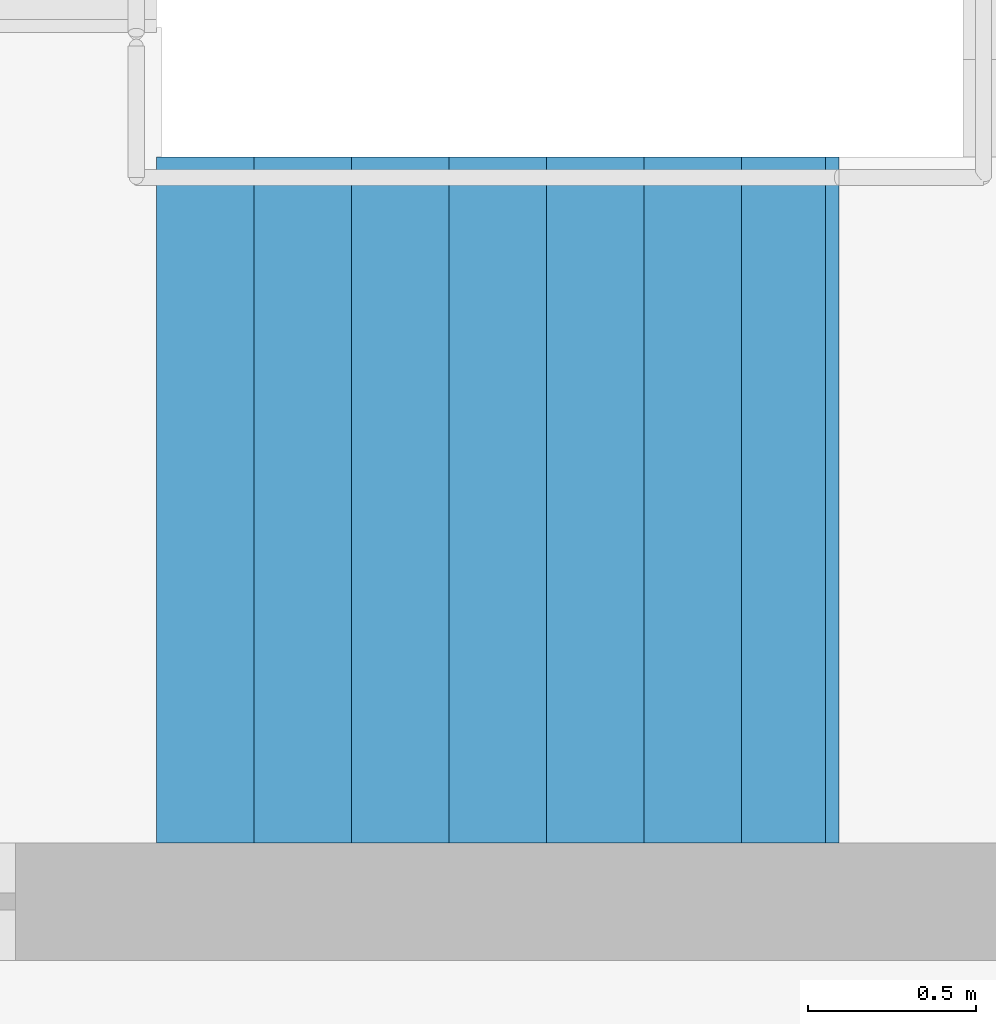
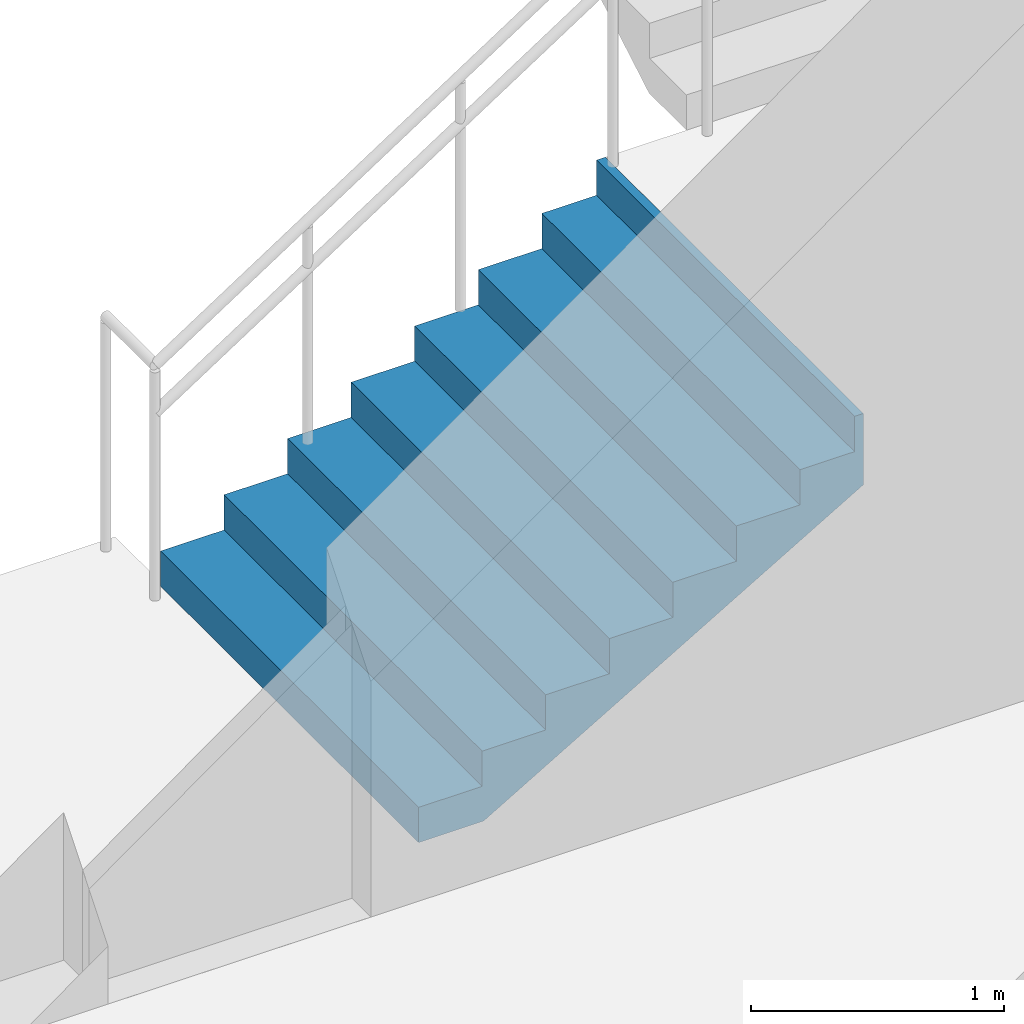
# One storey, part 62 of 72: 1 stair flight, 1 element without a shape of its own.
"""IFC4 building model written with IfcOpenShell, lengths in metres."""

import ifcopenshell
import ifcopenshell.guid

model = None  # the IFC model being written
_history = None  # IfcOwnerHistory: only IFC2X3 demands one
_inside = {}  # id of a spatial element -> (the spatial element, [elements in it])
_under = {}  # id of a project, library or spatial element -> (it, [spatial elements below it])
_declared = {}  # id of a project -> (the project, [libraries it declares])
_typed = {}  # id of a type object -> (the type object, [elements of that type])
_made_of = {}  # id of a material, layer set ... -> (it, [elements and type objects made of it])


def new_model(schema):
    """Start an empty IFC model of exactly this schema.

    Asked for "IFC4X3", IfcOpenShell would pick the latest addendum, in which some entities
    have other attributes; the version numbers below select the first issue.
    IFC2X3 requires an IfcOwnerHistory on every rooted entity: one is made here for all.
    """
    global model, _history
    if schema == "IFC4X3":
        model = ifcopenshell.file(schema_version=(4, 3, 0, 0))
    else:
        model = ifcopenshell.file(schema=schema)
    _inside.clear()
    _under.clear()
    _declared.clear()
    _typed.clear()
    _made_of.clear()
    _history = None
    if model.schema == "IFC2X3":
        org = make("IfcOrganization", Name="unknown")
        user = make(
            "IfcPersonAndOrganization",
            ThePerson=make("IfcPerson", FamilyName="unknown"),
            TheOrganization=org,
        )
        app = make(
            "IfcApplication",
            ApplicationDeveloper=org,
            Version="unknown",
            ApplicationFullName="unknown",
            ApplicationIdentifier="unknown",
        )
        _history = make(
            "IfcOwnerHistory",
            OwningUser=user,
            OwningApplication=app,
            ChangeAction="ADDED",
            CreationDate=0,
        )
    return model


def make(cls, **values):
    """One entity of the class cls with the attributes given. An attribute that is None is left unset."""
    return model.create_entity(
        cls, **{name: value for name, value in values.items() if value is not None}
    )


def rooted(cls, **values):
    """An entity with a GlobalId (a new one), such as an element, a storey or a relation."""
    return make(cls, GlobalId=ifcopenshell.guid.new(), OwnerHistory=_history, **values)


def si_unit(unit_type, name, prefix=None):
    """IfcSIUnit, for example si_unit("LENGTHUNIT", "METRE", prefix="MILLI")."""
    return make("IfcSIUnit", UnitType=unit_type, Prefix=prefix, Name=name)


def assignment(units):
    """IfcUnitAssignment: the units of a project."""
    return None if units is None else make("IfcUnitAssignment", Units=units)


def point(xyz):
    """IfcCartesianPoint."""
    return None if xyz is None else make("IfcCartesianPoint", Coordinates=xyz)


def direction(xyz):
    """IfcDirection."""
    return None if xyz is None else make("IfcDirection", DirectionRatios=xyz)


def frame(location, z_axis=None, x_axis=None):
    """IfcAxis2Placement3D, a coordinate frame: its origin and axes. An axis left out is left unset."""
    return make(
        "IfcAxis2Placement3D",
        Location=point(location),
        Axis=direction(z_axis),
        RefDirection=direction(x_axis),
    )


def origin():
    """The frame at (0, 0, 0) with its axes left unset."""
    return frame((0.0, 0.0, 0.0))


def place(relative_to, where):
    """IfcLocalPlacement: puts the frame where relative to a parent placement (None: the world)."""
    return make(
        "IfcLocalPlacement", PlacementRelTo=relative_to, RelativePlacement=where
    )


def context(
    kind, dimensions, precision=None, world=None, true_north=None, identifier=None
):
    """IfcGeometricRepresentationContext, for example the 3D "Model" context."""
    return make(
        "IfcGeometricRepresentationContext",
        ContextIdentifier=identifier,
        ContextType=kind,
        CoordinateSpaceDimension=dimensions,
        Precision=precision,
        WorldCoordinateSystem=world,
        TrueNorth=true_north,
    )


def subcontext(parent, identifier, kind, view, scale=None):
    """IfcGeometricRepresentationSubContext, for example "Body" below "Model"."""
    return make(
        "IfcGeometricRepresentationSubContext",
        ContextIdentifier=identifier,
        ContextType=kind,
        ParentContext=parent,
        TargetScale=scale,
        TargetView=view,
    )


def project(units=None, contexts=None):
    """IfcProject with its units and contexts."""
    return rooted(
        "IfcProject",
        Name="project",
        RepresentationContexts=contexts,
        UnitsInContext=assignment(units),
    )


def spatial(cls, under=None, at=None, **own):
    """A site, building, storey or space (cls), placed at a placement, below another one or the project."""
    s = rooted(cls, ObjectPlacement=at, **own)
    if under is not None:
        _under.setdefault(under.id(), (under, []))[1].append(s)
    return s


def point_list(points):
    """IfcCartesianPointList2D or 3D."""
    cls = (
        "IfcCartesianPointList2D" if len(points[0]) == 2 else "IfcCartesianPointList3D"
    )
    return make(cls, CoordList=points)


def triangles(points, corners, closed=None, point_numbers=None):
    """IfcTriangulatedFaceSet: each triangle names its three corners, points numbered from 1."""
    return make(
        "IfcTriangulatedFaceSet",
        Coordinates=point_list(points),
        Closed=closed,
        CoordIndex=corners,
        PnIndex=point_numbers,
    )


def shape(context_of_items, identifier, shape_type, items):
    """IfcShapeRepresentation: the items that make up one representation, for example the "Body"."""
    return make(
        "IfcShapeRepresentation",
        ContextOfItems=context_of_items,
        RepresentationIdentifier=identifier,
        RepresentationType=shape_type,
        Items=items,
    )


def material(Name=None, Category=None):
    """IfcMaterial."""
    return make("IfcMaterial", Name=Name, Category=Category)


def made_of(thing, what):
    """Note that an element or type object is made of a material, layer set ...; save() writes the relation."""
    if what is not None:
        _made_of.setdefault(what.id(), (what, []))[1].append(thing)
    return thing


def type_object(cls, material=None, **own):
    """A type object (cls), such as IfcWallType, which elements share."""
    return made_of(rooted(cls, **own), material)


def element(
    cls,
    number,
    at=None,
    inside=None,
    cuts=None,
    type_object=None,
    material=None,
    context=None,
    identifier="Body",
    shape_type=None,
    held_by="IfcProductDefinitionShape",
    body=None,
    shapes=None,
    **own,
):
    """One element of the class cls, such as IfcWall. Its Tag is "e" and its number.

    at: its placement. inside: the storey or other place that contains it. cuts: it is an
    opening in that element (IfcRelVoidsElement). A single representation is given by context,
    identifier, shape_type and body (its items); several are given by shapes. held_by: the class
    of the entity that holds the representations. save() writes the other relations.
    """
    e = rooted(cls, Tag="e%d" % number, ObjectPlacement=at, **own)
    if body is not None:
        shapes = [shape(context, identifier, shape_type, body)]
    if shapes is not None:
        e.Representation = make(held_by, Representations=shapes)
    if inside is not None:
        _inside.setdefault(inside.id(), (inside, []))[1].append(e)
    if cuts is not None:
        rooted(
            "IfcRelVoidsElement", RelatingBuildingElement=cuts, RelatedOpeningElement=e
        )
    if type_object is not None:
        _typed.setdefault(type_object.id(), (type_object, []))[1].append(e)
    return made_of(e, material)


def aggregate(whole, parts):
    """IfcRelAggregates: a whole, such as a stair, and the parts it consists of."""
    return rooted("IfcRelAggregates", RelatingObject=whole, RelatedObjects=parts)


def save(model, path):
    """Write the relations noted so far, then the file.

    IfcRelAggregates (storeys below a building ...), IfcRelContainedInSpatialStructure (elements
    in a storey), IfcRelDefinesByType, IfcRelAssociatesMaterial and IfcRelDeclares: one each for
    every whole, place, type object, material and project.
    """
    for whole, parts in _under.values():
        aggregate(whole, parts)
    for where, things in _inside.values():
        rooted(
            "IfcRelContainedInSpatialStructure",
            RelatedElements=things,
            RelatingStructure=where,
        )
    for kind, things in _typed.values():
        rooted("IfcRelDefinesByType", RelatedObjects=things, RelatingType=kind)
    for what, things in _made_of.values():
        rooted("IfcRelAssociatesMaterial", RelatedObjects=things, RelatingMaterial=what)
    for by, libraries in _declared.values():
        rooted("IfcRelDeclares", RelatingContext=by, RelatedDefinitions=libraries)
    model.write(path)


model = new_model("IFC4")

# Units and contexts
model_context = context("Model", 3, precision=1e-05, world=origin(), true_north=direction((0.0, 1.0)))
body_context = subcontext(model_context, "Body", "Model", "MODEL_VIEW")
ifc_project = project(units=[si_unit("LENGTHUNIT", "METRE"), si_unit("AREAUNIT", "SQUARE_METRE"), si_unit("VOLUMEUNIT", "CUBIC_METRE"), si_unit("PLANEANGLEUNIT", "RADIAN"), si_unit("MASSUNIT", "GRAM", prefix="KILO")], contexts=[model_context])

# Site, building, storey
site_placement = place(None, origin())
site = spatial("IfcSite", under=ifc_project, at=site_placement, CompositionType="ELEMENT")
building_placement = place(site_placement, origin())
building = spatial("IfcBuilding", under=site, at=building_placement, Name="Sillaruma Civic Art Gallery", CompositionType="ELEMENT")
storey_placement = place(building_placement, frame((0.0, 0.0, 10.8798828125)))
storey = spatial("IfcBuildingStorey", under=building, at=storey_placement, Name="L02", CompositionType="ELEMENT", Elevation=10.8798828125)

# Stair, stair flight
ifc_material = material(Name="Concrete H35 (35 MPa)", Category="concrete")
stair_type = type_object("IfcStairType", Name="STR-4F-32", PredefinedType="USERDEFINED", material=ifc_material)
stair_placement = place(storey_placement, origin())
stair = element("IfcStair", 1, at=stair_placement, inside=storey, type_object=stair_type, Name="Protected Exit Stair ST-02 (West Bar North) (L02)", ObjectType="THREE_RETURN_STAIR", PredefinedType="USERDEFINED")
stair_flight_type = type_object("IfcStairFlightType", Name="SFL-STR-8", PredefinedType="STRAIGHT", material=ifc_material)
stair_flight_placement = place(storey_placement, frame((64.800048828125, 81.929931640625, 0.0), z_axis=(0.0, 0.0, 1.0), x_axis=(1.0, 0.0, 0.0)))
stair_flight = element("IfcStairFlight", 2, at=stair_flight_placement, type_object=stair_flight_type, Name="ST-02 flight 1", NumberOfRisers=8, NumberOfTreads=7, PredefinedType="STRAIGHT", RiserHeight=0.17, TreadLength=0.29, context=body_context, shape_type="Tessellation", body=[
    triangles([(0.0, -1.02001953125, 0.0), (0.29, -1.02001953125, 0.0), (0.296443, -1.02001953125, 0.0), (0.58, -1.02001953125, 0.166223), (0.87, -1.02001953125, 0.336223), (1.16, -1.02001953125, 0.506223), (1.45, -1.02001953125, 0.676223), (1.74, -1.02001953125, 0.846223), (1.990029, -1.02001953125, 0.992792), (2.030029, -1.02001953125, 1.01624), (2.030029, -1.02001953125, 1.36), (1.990029, -1.02001953125, 1.36), (1.990029, -1.02001953125, 1.19), (1.74, -1.02001953125, 1.19), (1.74, -1.02001953125, 1.02), (1.45, -1.02001953125, 1.02), (1.45, -1.02001953125, 0.85), (1.16, -1.02001953125, 0.85), (1.16, -1.02001953125, 0.68), (0.87, -1.02001953125, 0.68), (0.87, -1.02001953125, 0.51), (0.58, -1.02001953125, 0.51), (0.58, -1.02001953125, 0.34), (0.296443, -1.02001953125, 0.34), (0.29, -1.02001953125, 0.34), (0.29, -1.02001953125, 0.17), (0.0, -1.02001953125, 0.17), (0.0, -0.05, 0.0), (0.29, -0.05, 0.0), (0.296443, -0.05, 0.0), (0.58, -0.05, 0.166223), (0.87, -0.05, 0.336223), (1.16, -0.05, 0.506223), (1.45, -0.05, 0.676223), (1.74, -0.05, 0.846223), (1.990029, -0.05, 0.992792), (2.030029, -0.05, 1.01624), (2.030029, -0.05, 1.36), (1.990029, -0.05, 1.36), (1.990029, -0.05, 1.19), (1.74, -0.05, 1.19), (1.74, -0.05, 1.02), (1.45, -0.05, 1.02), (1.45, -0.05, 0.85), (1.16, -0.05, 0.85), (1.16, -0.05, 0.68), (0.87, -0.05, 0.68), (0.87, -0.05, 0.51), (0.58, -0.05, 0.51), (0.58, -0.05, 0.34), (0.296443, -0.05, 0.34), (0.29, -0.05, 0.34), (0.29, -0.05, 0.17), (0.0, -0.05, 0.17), (0.0, -0.0375, 0.0), (0.29, -0.0375, 0.0), (0.296443, -0.0375, 0.0), (0.58, -0.0375, 0.166223), (0.87, -0.0375, 0.336223), (1.16, -0.0375, 0.506223), (1.45, -0.0375, 0.676223), (1.74, -0.0375, 0.846223), (1.990029, -0.0375, 0.992792), (2.030029, -0.0375, 1.01624), (2.030029, -0.0375, 1.36), (1.990029, -0.0375, 1.36), (1.990029, -0.0375, 1.19), (1.74, -0.0375, 1.19), (1.74, -0.0375, 1.02), (1.45, -0.0375, 1.02), (1.45, -0.0375, 0.85), (1.16, -0.0375, 0.85), (1.16, -0.0375, 0.68), (0.87, -0.0375, 0.68), (0.87, -0.0375, 0.51), (0.58, -0.0375, 0.51), (0.58, -0.0375, 0.34), (0.296443, -0.0375, 0.34), (0.29, -0.0375, 0.34), (0.29, -0.0375, 0.17), (0.0, -0.0375, 0.17), (0.0, -0.025, 0.0), (0.29, -0.025, 0.0), (0.296443, -0.025, 0.0), (0.58, -0.025, 0.166223), (0.87, -0.025, 0.336223), (1.16, -0.025, 0.506223), (1.45, -0.025, 0.676223), (1.74, -0.025, 0.846223), (1.990029, -0.025, 0.992792), (2.030029, -0.025, 1.01624), (2.030029, -0.025, 1.36), (1.990029, -0.025, 1.36), (1.990029, -0.025, 1.19), (1.74, -0.025, 1.19), (1.74, -0.025, 1.02), (1.45, -0.025, 1.02), (1.45, -0.025, 0.85), (1.16, -0.025, 0.85), (1.16, -0.025, 0.68), (0.87, -0.025, 0.68), (0.87, -0.025, 0.51), (0.58, -0.025, 0.51), (0.58, -0.025, 0.34), (0.296443, -0.025, 0.34), (0.29, -0.025, 0.34), (0.29, -0.025, 0.17), (0.0, -0.025, 0.17), (0.0, -0.0125, 0.0), (0.29, -0.0125, 0.0), (0.296443, -0.0125, 0.0), (0.58, -0.0125, 0.166223), (0.87, -0.0125, 0.336223), (1.16, -0.0125, 0.506223), (1.45, -0.0125, 0.676223), (1.74, -0.0125, 0.846223), (1.990029, -0.0125, 0.992792), (2.030029, -0.0125, 1.01624), (2.030029, -0.0125, 1.36), (1.990029, -0.0125, 1.36), (1.990029, -0.0125, 1.19), (1.74, -0.0125, 1.19), (1.74, -0.0125, 1.02), (1.45, -0.0125, 1.02), (1.45, -0.0125, 0.85), (1.16, -0.0125, 0.85), (1.16, -0.0125, 0.68), (0.87, -0.0125, 0.68), (0.87, -0.0125, 0.51), (0.58, -0.0125, 0.51), (0.58, -0.0125, 0.34), (0.296443, -0.0125, 0.34), (0.29, -0.0125, 0.34), (0.29, -0.0125, 0.17), (0.0, -0.0125, 0.17), (0.0, 0.0, 0.0), (0.29, 0.0, 0.0), (0.296443, 0.0, 0.0), (0.58, 0.0, 0.166223), (0.87, 0.0, 0.336223), (1.16, 0.0, 0.506223), (1.45, 0.0, 0.676223), (1.74, 0.0, 0.846223), (1.990029, 0.0, 0.992792), (2.030029, 0.0, 1.01624), (2.030029, 0.0, 1.36), (1.990029, 0.0, 1.36), (1.990029, 0.0, 1.19), (1.74, 0.0, 1.19), (1.74, 0.0, 1.02), (1.45, 0.0, 1.02), (1.45, 0.0, 0.85), (1.16, 0.0, 0.85), (1.16, 0.0, 0.68), (0.87, 0.0, 0.68), (0.87, 0.0, 0.51), (0.58, 0.0, 0.51), (0.58, 0.0, 0.34), (0.296443, 0.0, 0.34), (0.29, 0.0, 0.34), (0.29, 0.0, 0.17), (0.0, 0.0, 0.17), (0.0, 0.0125, 0.0), (0.29, 0.0125, 0.0), (0.296443, 0.0125, 0.0), (0.58, 0.0125, 0.166223), (0.87, 0.0125, 0.336223), (1.16, 0.0125, 0.506223), (1.45, 0.0125, 0.676223), (1.74, 0.0125, 0.846223), (1.990029, 0.0125, 0.992792), (2.030029, 0.0125, 1.01624), (2.030029, 0.0125, 1.36), (1.990029, 0.0125, 1.36), (1.990029, 0.0125, 1.19), (1.74, 0.0125, 1.19), (1.74, 0.0125, 1.02), (1.45, 0.0125, 1.02), (1.45, 0.0125, 0.85), (1.16, 0.0125, 0.85), (1.16, 0.0125, 0.68), (0.87, 0.0125, 0.68), (0.87, 0.0125, 0.51), (0.58, 0.0125, 0.51), (0.58, 0.0125, 0.34), (0.296443, 0.0125, 0.34), (0.29, 0.0125, 0.34), (0.29, 0.0125, 0.17), (0.0, 0.0125, 0.17), (0.0, 0.025, 0.0), (0.29, 0.025, 0.0), (0.296443, 0.025, 0.0), (0.58, 0.025, 0.166223), (0.87, 0.025, 0.336223), (1.16, 0.025, 0.506223), (1.45, 0.025, 0.676223), (1.74, 0.025, 0.846223), (1.990029, 0.025, 0.992792), (2.030029, 0.025, 1.01624), (2.030029, 0.025, 1.36), (1.990029, 0.025, 1.36), (1.990029, 0.025, 1.19), (1.74, 0.025, 1.19), (1.74, 0.025, 1.02), (1.45, 0.025, 1.02), (1.45, 0.025, 0.85), (1.16, 0.025, 0.85), (1.16, 0.025, 0.68), (0.87, 0.025, 0.68), (0.87, 0.025, 0.51), (0.58, 0.025, 0.51), (0.58, 0.025, 0.34), (0.296443, 0.025, 0.34), (0.29, 0.025, 0.34), (0.29, 0.025, 0.17), (0.0, 0.025, 0.17), (0.0, 0.0375, 0.0), (0.29, 0.0375, 0.0), (0.296443, 0.0375, 0.0), (0.58, 0.0375, 0.166223), (0.87, 0.0375, 0.336223), (1.16, 0.0375, 0.506223), (1.45, 0.0375, 0.676223), (1.74, 0.0375, 0.846223), (1.990029, 0.0375, 0.992792), (2.030029, 0.0375, 1.01624), (2.030029, 0.0375, 1.36), (1.990029, 0.0375, 1.36), (1.990029, 0.0375, 1.19), (1.74, 0.0375, 1.19), (1.74, 0.0375, 1.02), (1.45, 0.0375, 1.02), (1.45, 0.0375, 0.85), (1.16, 0.0375, 0.85), (1.16, 0.0375, 0.68), (0.87, 0.0375, 0.68), (0.87, 0.0375, 0.51), (0.58, 0.0375, 0.51), (0.58, 0.0375, 0.34), (0.296443, 0.0375, 0.34), (0.29, 0.0375, 0.34), (0.29, 0.0375, 0.17), (0.0, 0.0375, 0.17), (0.0, 0.05, 0.0), (0.29, 0.05, 0.0), (0.296443, 0.05, 0.0), (0.58, 0.05, 0.166223), (0.87, 0.05, 0.336223), (1.16, 0.05, 0.506223), (1.45, 0.05, 0.676223), (1.74, 0.05, 0.846223), (1.990029, 0.05, 0.992792), (2.030029, 0.05, 1.01624), (2.030029, 0.05, 1.36), (1.990029, 0.05, 1.36), (1.990029, 0.05, 1.19), (1.74, 0.05, 1.19), (1.74, 0.05, 1.02), (1.45, 0.05, 1.02), (1.45, 0.05, 0.85), (1.16, 0.05, 0.85), (1.16, 0.05, 0.68), (0.87, 0.05, 0.68), (0.87, 0.05, 0.51), (0.58, 0.05, 0.51), (0.58, 0.05, 0.34), (0.296443, 0.05, 0.34), (0.29, 0.05, 0.34), (0.29, 0.05, 0.17), (0.0, 0.05, 0.17), (0.0, 1.02001953125, 0.0), (0.29, 1.02001953125, 0.0), (0.296443, 1.02001953125, 0.0), (0.58, 1.02001953125, 0.166223), (0.87, 1.02001953125, 0.336223), (1.16, 1.02001953125, 0.506223), (1.45, 1.02001953125, 0.676223), (1.74, 1.02001953125, 0.846223), (1.990029, 1.02001953125, 0.992792), (2.030029, 1.02001953125, 1.01624), (2.030029, 1.02001953125, 1.36), (1.990029, 1.02001953125, 1.36), (1.990029, 1.02001953125, 1.19), (1.74, 1.02001953125, 1.19), (1.74, 1.02001953125, 1.02), (1.45, 1.02001953125, 1.02), (1.45, 1.02001953125, 0.85), (1.16, 1.02001953125, 0.85), (1.16, 1.02001953125, 0.68), (0.87, 1.02001953125, 0.68), (0.87, 1.02001953125, 0.51), (0.58, 1.02001953125, 0.51), (0.58, 1.02001953125, 0.34), (0.296443, 1.02001953125, 0.34), (0.29, 1.02001953125, 0.34), (0.29, 1.02001953125, 0.17), (0.0, 1.02001953125, 0.17)], [[1, 2, 26], [1, 26, 27], [2, 3, 24], [2, 24, 26], [26, 24, 25], [3, 4, 23], [3, 23, 24], [4, 5, 21], [4, 21, 23], [23, 21, 22], [5, 6, 19], [5, 19, 21], [21, 19, 20], [6, 7, 17], [6, 17, 19], [19, 17, 18], [7, 8, 15], [7, 15, 17], [17, 15, 16], [8, 9, 13], [8, 13, 15], [15, 13, 14], [9, 10, 11], [9, 11, 13], [13, 11, 12], [296, 272, 271], [297, 296, 271], [294, 273, 272], [296, 294, 272], [295, 294, 296], [293, 274, 273], [294, 293, 273], [291, 275, 274], [293, 291, 274], [292, 291, 293], [289, 276, 275], [291, 289, 275], [290, 289, 291], [287, 277, 276], [289, 287, 276], [288, 287, 289], [285, 278, 277], [287, 285, 277], [286, 285, 287], [283, 279, 278], [285, 283, 278], [284, 283, 285], [281, 280, 279], [283, 281, 279], [282, 281, 283], [2, 1, 28], [2, 28, 29], [3, 2, 29], [3, 29, 30], [4, 3, 30], [4, 30, 31], [5, 4, 31], [5, 31, 32], [6, 5, 32], [6, 32, 33], [7, 6, 33], [7, 33, 34], [8, 7, 34], [8, 34, 35], [9, 8, 35], [9, 35, 36], [10, 9, 36], [10, 36, 37], [11, 10, 37], [11, 37, 38], [12, 11, 38], [12, 38, 39], [13, 12, 39], [13, 39, 40], [14, 13, 40], [14, 40, 41], [15, 14, 41], [15, 41, 42], [16, 15, 42], [16, 42, 43], [17, 16, 43], [17, 43, 44], [18, 17, 44], [18, 44, 45], [19, 18, 45], [19, 45, 46], [20, 19, 46], [20, 46, 47], [21, 20, 47], [21, 47, 48], [22, 21, 48], [22, 48, 49], [23, 22, 49], [23, 49, 50], [24, 23, 50], [24, 50, 51], [25, 24, 51], [25, 51, 52], [26, 25, 52], [26, 52, 53], [27, 26, 53], [27, 53, 54], [1, 27, 54], [1, 54, 28], [29, 28, 55], [29, 55, 56], [30, 29, 56], [30, 56, 57], [31, 30, 57], [31, 57, 58], [32, 31, 58], [32, 58, 59], [33, 32, 59], [33, 59, 60], [34, 33, 60], [34, 60, 61], [35, 34, 61], [35, 61, 62], [36, 35, 62], [36, 62, 63], [37, 36, 63], [37, 63, 64], [38, 37, 64], [38, 64, 65], [39, 38, 65], [39, 65, 66], [40, 39, 66], [40, 66, 67], [41, 40, 67], [41, 67, 68], [42, 41, 68], [42, 68, 69], [43, 42, 69], [43, 69, 70], [44, 43, 70], [44, 70, 71], [45, 44, 71], [45, 71, 72], [46, 45, 72], [46, 72, 73], [47, 46, 73], [47, 73, 74], [48, 47, 74], [48, 74, 75], [49, 48, 75], [49, 75, 76], [50, 49, 76], [50, 76, 77], [51, 50, 77], [51, 77, 78], [52, 51, 78], [52, 78, 79], [53, 52, 79], [53, 79, 80], [54, 53, 80], [54, 80, 81], [28, 54, 81], [28, 81, 55], [56, 55, 82], [56, 82, 83], [57, 56, 83], [57, 83, 84], [58, 57, 84], [58, 84, 85], [59, 58, 85], [59, 85, 86], [60, 59, 86], [60, 86, 87], [61, 60, 87], [61, 87, 88], [62, 61, 88], [62, 88, 89], [63, 62, 89], [63, 89, 90], [64, 63, 90], [64, 90, 91], [65, 64, 91], [65, 91, 92], [66, 65, 92], [66, 92, 93], [67, 66, 93], [67, 93, 94], [68, 67, 94], [68, 94, 95], [69, 68, 95], [69, 95, 96], [70, 69, 96], [70, 96, 97], [71, 70, 97], [71, 97, 98], [72, 71, 98], [72, 98, 99], [73, 72, 99], [73, 99, 100], [74, 73, 100], [74, 100, 101], [75, 74, 101], [75, 101, 102], [76, 75, 102], [76, 102, 103], [77, 76, 103], [77, 103, 104], [78, 77, 104], [78, 104, 105], [79, 78, 105], [79, 105, 106], [80, 79, 106], [80, 106, 107], [81, 80, 107], [81, 107, 108], [55, 81, 108], [55, 108, 82], [83, 82, 109], [83, 109, 110], [84, 83, 110], [84, 110, 111], [85, 84, 111], [85, 111, 112], [86, 85, 112], [86, 112, 113], [87, 86, 113], [87, 113, 114], [88, 87, 114], [88, 114, 115], [89, 88, 115], [89, 115, 116], [90, 89, 116], [90, 116, 117], [91, 90, 117], [91, 117, 118], [92, 91, 118], [92, 118, 119], [93, 92, 119], [93, 119, 120], [94, 93, 120], [94, 120, 121], [95, 94, 121], [95, 121, 122], [96, 95, 122], [96, 122, 123], [97, 96, 123], [97, 123, 124], [98, 97, 124], [98, 124, 125], [99, 98, 125], [99, 125, 126], [100, 99, 126], [100, 126, 127], [101, 100, 127], [101, 127, 128], [102, 101, 128], [102, 128, 129], [103, 102, 129], [103, 129, 130], [104, 103, 130], [104, 130, 131], [105, 104, 131], [105, 131, 132], [106, 105, 132], [106, 132, 133], [107, 106, 133], [107, 133, 134], [108, 107, 134], [108, 134, 135], [82, 108, 135], [82, 135, 109], [110, 109, 136], [110, 136, 137], [111, 110, 137], [111, 137, 138], [112, 111, 138], [112, 138, 139], [113, 112, 139], [113, 139, 140], [114, 113, 140], [114, 140, 141], [115, 114, 141], [115, 141, 142], [116, 115, 142], [116, 142, 143], [117, 116, 143], [117, 143, 144], [118, 117, 144], [118, 144, 145], [119, 118, 145], [119, 145, 146], [120, 119, 146], [120, 146, 147], [121, 120, 147], [121, 147, 148], [122, 121, 148], [122, 148, 149], [123, 122, 149], [123, 149, 150], [124, 123, 150], [124, 150, 151], [125, 124, 151], [125, 151, 152], [126, 125, 152], [126, 152, 153], [127, 126, 153], [127, 153, 154], [128, 127, 154], [128, 154, 155], [129, 128, 155], [129, 155, 156], [130, 129, 156], [130, 156, 157], [131, 130, 157], [131, 157, 158], [132, 131, 158], [132, 158, 159], [133, 132, 159], [133, 159, 160], [134, 133, 160], [134, 160, 161], [135, 134, 161], [135, 161, 162], [109, 135, 162], [109, 162, 136], [137, 136, 163], [137, 163, 164], [138, 137, 164], [138, 164, 165], [139, 138, 165], [139, 165, 166], [140, 139, 166], [140, 166, 167], [141, 140, 167], [141, 167, 168], [142, 141, 168], [142, 168, 169], [143, 142, 169], [143, 169, 170], [144, 143, 170], [144, 170, 171], [145, 144, 171], [145, 171, 172], [146, 145, 172], [146, 172, 173], [147, 146, 173], [147, 173, 174], [148, 147, 174], [148, 174, 175], [149, 148, 175], [149, 175, 176], [150, 149, 176], [150, 176, 177], [151, 150, 177], [151, 177, 178], [152, 151, 178], [152, 178, 179], [153, 152, 179], [153, 179, 180], [154, 153, 180], [154, 180, 181], [155, 154, 181], [155, 181, 182], [156, 155, 182], [156, 182, 183], [157, 156, 183], [157, 183, 184], [158, 157, 184], [158, 184, 185], [159, 158, 185], [159, 185, 186], [160, 159, 186], [160, 186, 187], [161, 160, 187], [161, 187, 188], [162, 161, 188], [162, 188, 189], [136, 162, 189], [136, 189, 163], [164, 163, 190], [164, 190, 191], [165, 164, 191], [165, 191, 192], [166, 165, 192], [166, 192, 193], [167, 166, 193], [167, 193, 194], [168, 167, 194], [168, 194, 195], [169, 168, 195], [169, 195, 196], [170, 169, 196], [170, 196, 197], [171, 170, 197], [171, 197, 198], [172, 171, 198], [172, 198, 199], [173, 172, 199], [173, 199, 200], [174, 173, 200], [174, 200, 201], [175, 174, 201], [175, 201, 202], [176, 175, 202], [176, 202, 203], [177, 176, 203], [177, 203, 204], [178, 177, 204], [178, 204, 205], [179, 178, 205], [179, 205, 206], [180, 179, 206], [180, 206, 207], [181, 180, 207], [181, 207, 208], [182, 181, 208], [182, 208, 209], [183, 182, 209], [183, 209, 210], [184, 183, 210], [184, 210, 211], [185, 184, 211], [185, 211, 212], [186, 185, 212], [186, 212, 213], [187, 186, 213], [187, 213, 214], [188, 187, 214], [188, 214, 215], [189, 188, 215], [189, 215, 216], [163, 189, 216], [163, 216, 190], [191, 190, 217], [191, 217, 218], [192, 191, 218], [192, 218, 219], [193, 192, 219], [193, 219, 220], [194, 193, 220], [194, 220, 221], [195, 194, 221], [195, 221, 222], [196, 195, 222], [196, 222, 223], [197, 196, 223], [197, 223, 224], [198, 197, 224], [198, 224, 225], [199, 198, 225], [199, 225, 226], [200, 199, 226], [200, 226, 227], [201, 200, 227], [201, 227, 228], [202, 201, 228], [202, 228, 229], [203, 202, 229], [203, 229, 230], [204, 203, 230], [204, 230, 231], [205, 204, 231], [205, 231, 232], [206, 205, 232], [206, 232, 233], [207, 206, 233], [207, 233, 234], [208, 207, 234], [208, 234, 235], [209, 208, 235], [209, 235, 236], [210, 209, 236], [210, 236, 237], [211, 210, 237], [211, 237, 238], [212, 211, 238], [212, 238, 239], [213, 212, 239], [213, 239, 240], [214, 213, 240], [214, 240, 241], [215, 214, 241], [215, 241, 242], [216, 215, 242], [216, 242, 243], [190, 216, 243], [190, 243, 217], [218, 217, 244], [218, 244, 245], [219, 218, 245], [219, 245, 246], [220, 219, 246], [220, 246, 247], [221, 220, 247], [221, 247, 248], [222, 221, 248], [222, 248, 249], [223, 222, 249], [223, 249, 250], [224, 223, 250], [224, 250, 251], [225, 224, 251], [225, 251, 252], [226, 225, 252], [226, 252, 253], [227, 226, 253], [227, 253, 254], [228, 227, 254], [228, 254, 255], [229, 228, 255], [229, 255, 256], [230, 229, 256], [230, 256, 257], [231, 230, 257], [231, 257, 258], [232, 231, 258], [232, 258, 259], [233, 232, 259], [233, 259, 260], [234, 233, 260], [234, 260, 261], [235, 234, 261], [235, 261, 262], [236, 235, 262], [236, 262, 263], [237, 236, 263], [237, 263, 264], [238, 237, 264], [238, 264, 265], [239, 238, 265], [239, 265, 266], [240, 239, 266], [240, 266, 267], [241, 240, 267], [241, 267, 268], [242, 241, 268], [242, 268, 269], [243, 242, 269], [243, 269, 270], [217, 243, 270], [217, 270, 244], [245, 244, 271], [245, 271, 272], [246, 245, 272], [246, 272, 273], [247, 246, 273], [247, 273, 274], [248, 247, 274], [248, 274, 275], [249, 248, 275], [249, 275, 276], [250, 249, 276], [250, 276, 277], [251, 250, 277], [251, 277, 278], [252, 251, 278], [252, 278, 279], [253, 252, 279], [253, 279, 280], [254, 253, 280], [254, 280, 281], [255, 254, 281], [255, 281, 282], [256, 255, 282], [256, 282, 283], [257, 256, 283], [257, 283, 284], [258, 257, 284], [258, 284, 285], [259, 258, 285], [259, 285, 286], [260, 259, 286], [260, 286, 287], [261, 260, 287], [261, 287, 288], [262, 261, 288], [262, 288, 289], [263, 262, 289], [263, 289, 290], [264, 263, 290], [264, 290, 291], [265, 264, 291], [265, 291, 292], [266, 265, 292], [266, 292, 293], [267, 266, 293], [267, 293, 294], [268, 267, 294], [268, 294, 295], [269, 268, 295], [269, 295, 296], [270, 269, 296], [270, 296, 297], [244, 270, 297], [244, 297, 271]], closed=True),
])
aggregate(stair, [stair_flight])

save(model, "model.ifc")
